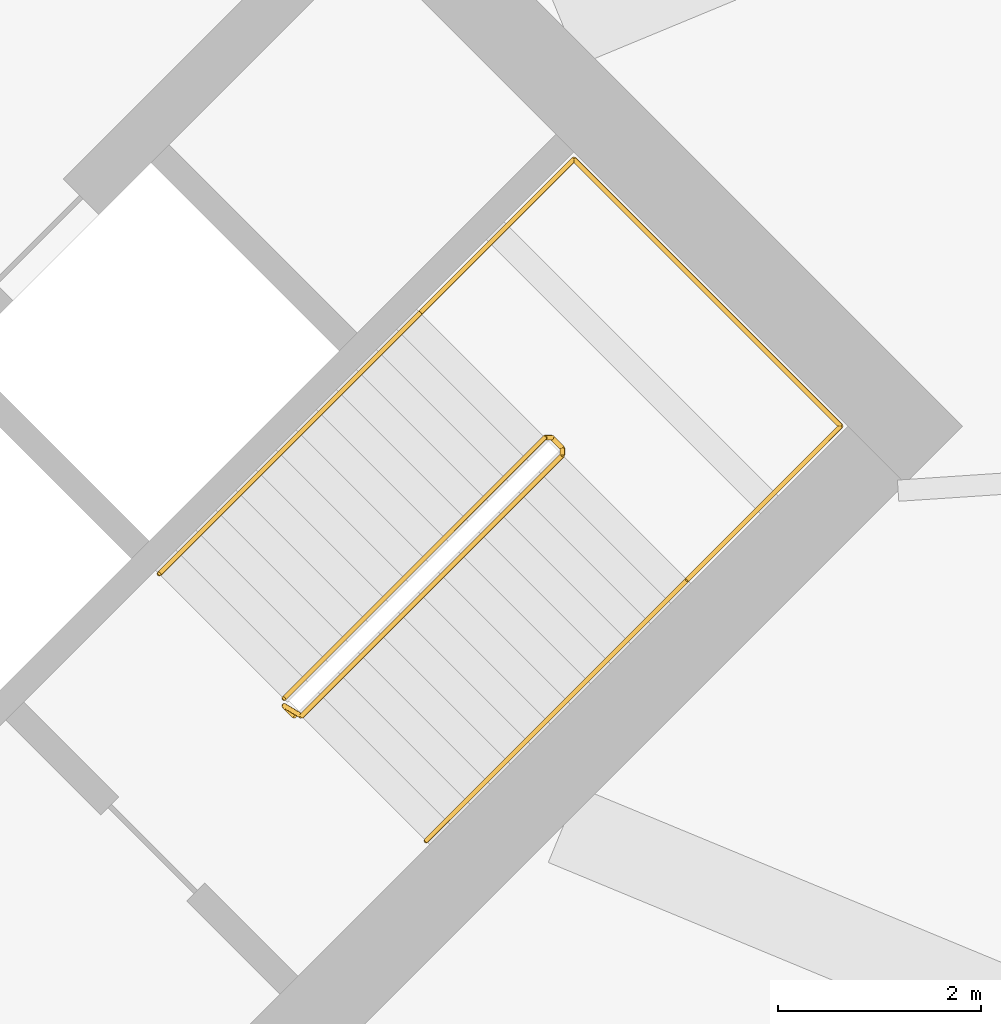
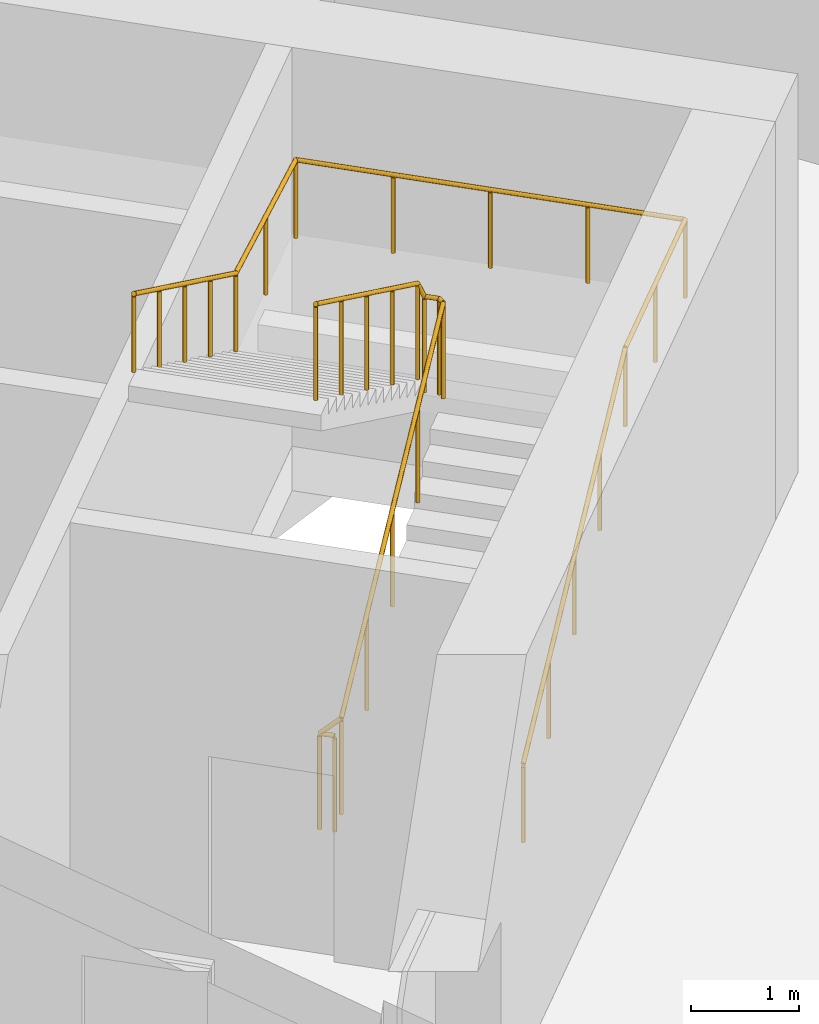
# One storey, part 19 of 19: 2 railings.
"""IFC4 building model written with IfcOpenShell, lengths in metres."""

from ifc_helpers import new_model, si_unit, direction, frame, origin, origin_2d, place, context, subcontext, project, spatial, circle, extrude, material, type_object, element, save


model = new_model("IFC4")

# Units and contexts
model_context = context("Model", 3, precision=1e-05, world=origin(), true_north=direction((0.0, 1.0)))
body_context = subcontext(model_context, "Body", "Model", "MODEL_VIEW")
ifc_project = project(units=[si_unit("LENGTHUNIT", "METRE"), si_unit("AREAUNIT", "SQUARE_METRE"), si_unit("VOLUMEUNIT", "CUBIC_METRE"), si_unit("PLANEANGLEUNIT", "RADIAN"), si_unit("MASSUNIT", "GRAM", prefix="KILO")], contexts=[model_context])

# Site, building, storey
site_placement = place(None, origin())
site = spatial("IfcSite", under=ifc_project, at=site_placement, CompositionType="ELEMENT")
building_placement = place(site_placement, origin())
building = spatial("IfcBuilding", under=site, at=building_placement, Name="Ogive Gate Towers", CompositionType="ELEMENT")
storey_placement = place(building_placement, frame((0.0, 0.0, 130.800048828125)))
storey = spatial("IfcBuildingStorey", under=building, at=storey_placement, Name="L31", CompositionType="ELEMENT", Elevation=130.800048828125)

# Railings
ifc_material = material(Name="Stainless steel", Category="steel")
railing_type_1 = type_object("IfcRailingType", Name="Stair guard 1100", PredefinedType="GUARDRAIL", material=ifc_material)
railing_1_placement = place(storey_placement, frame((42.84130859375, -2.8603515625, 0.0)))
element("IfcRailing", 1, at=railing_1_placement, inside=storey, type_object=railing_type_1, Name="L31 ST2 stair guard 1", PredefinedType="GUARDRAIL", context=body_context, shape_type="SweptSolid", body=[
    extrude(circle(Radius=0.02392578125, at=origin_2d()), frame((0.0, 0.0, 1.076171875), z_axis=(-0.707106781187, 0.707106781187, 0.0), x_axis=(-0.707106781187, -0.707106781187, 0.0)), (0.0, 0.0, 1.0), 0.14501953125),
    extrude(circle(Radius=0.02392578125, at=origin_2d()), frame((-0.1025390625, 0.1025390625, 1.076171875), z_axis=(0.65494335095, -0.387977725527, 0.648477055524), x_axis=(0.509669330572, 0.860370369942, 0.0)), (0.0, 0.0, 1.0), 0.264404296875),
    extrude(circle(Radius=0.02392578125, at=origin_2d()), frame((0.070556640625, 0.0, 1.24755859375), z_axis=(0.603067823642, 0.603067823642, 0.522128719929), x_axis=(-0.707106781187, 0.707106781187, 0.0)), (0.0, 0.0, 1.0), 4.26806640625),
    extrude(circle(Radius=0.02392578125, at=origin_2d()), frame((2.64453125, 2.573974609375, 3.47607421875), z_axis=(0.0, 1.0, 0.0), x_axis=(-1.0, 0.0, 0.0)), (0.0, 0.0, 1.0), 0.07080078125),
    extrude(circle(Radius=0.02392578125, at=origin_2d()), frame((2.64453125, 2.644775390625, 3.47607421875), z_axis=(-0.707106781187, 0.707106781187, 0.0), x_axis=(-0.707106781187, -0.707106781187, 0.0)), (0.0, 0.0, 1.0), 0.14501953125),
    extrude(circle(Radius=0.02392578125, at=origin_2d()), frame((2.5419921875, 2.747314453125, 3.47607421875), z_axis=(-0.381809054019, 0.0, 0.924241227315), x_axis=(0.0, -1.0, 0.0)), (0.0, 0.0, 1.0), 0.185546875),
    extrude(circle(Radius=0.02392578125, at=origin_2d()), frame((2.47119140625, 2.747314453125, 3.6474609375), z_axis=(-0.603013412715, -0.60307061376, 0.522188336623), x_axis=(0.707140316402, -0.707073244381, 0.0)), (0.0, 0.0, 1.0), 4.26806640625),
    extrude(circle(Radius=0.02099609375, at=origin_2d()), origin(), (0.0, 0.0, 1.0), 1.052001953125),
    extrude(circle(Radius=0.02099609375, at=origin_2d()), frame((-0.1025390625, 0.1025390625, 0.0)), (0.0, 0.0, 1.0), 1.052001953125),
    extrude(circle(Radius=0.02099609375, at=origin_2d()), frame((0.070556640625, 0.0, 0.17138671875)), (0.0, 0.0, 1.0), 1.052001953125),
    extrude(circle(Radius=0.02099609375, at=origin_2d()), frame((0.714111328125, 0.6435546875, 0.728515625)), (0.0, 0.0, 1.0), 1.052001953125),
    extrude(circle(Radius=0.02099609375, at=origin_2d()), frame((1.357421875, 1.287109375, 1.28564453125)), (0.0, 0.0, 1.0), 1.052001953125),
    extrude(circle(Radius=0.02099609375, at=origin_2d()), frame((2.0009765625, 1.930419921875, 1.8427734375)), (0.0, 0.0, 1.0), 1.052001953125),
    extrude(circle(Radius=0.02099609375, at=origin_2d()), frame((2.64453125, 2.573974609375, 2.39990234375)), (0.0, 0.0, 1.0), 1.052001953125),
    extrude(circle(Radius=0.02099609375, at=origin_2d()), frame((2.64453125, 2.644775390625, 2.39990234375)), (0.0, 0.0, 1.0), 1.052001953125),
    extrude(circle(Radius=0.02099609375, at=origin_2d()), frame((2.5419921875, 2.747314453125, 2.39990234375)), (0.0, 0.0, 1.0), 1.052001953125),
    extrude(circle(Radius=0.02099609375, at=origin_2d()), frame((2.47119140625, 2.747314453125, 2.5712890625)), (0.0, 0.0, 1.0), 1.052001953125),
    extrude(circle(Radius=0.02099609375, at=origin_2d()), frame((1.82763671875, 2.103759765625, 3.12841796875)), (0.0, 0.0, 1.0), 1.052001953125),
    extrude(circle(Radius=0.02099609375, at=origin_2d()), frame((1.184326171875, 1.46044921875, 3.685546875)), (0.0, 0.0, 1.0), 1.052001953125),
    extrude(circle(Radius=0.02099609375, at=origin_2d()), frame((0.541015625, 0.81689453125, 4.242919921875)), (0.0, 0.0, 1.0), 1.052001953125),
    extrude(circle(Radius=0.02099609375, at=origin_2d()), frame((-0.1025390625, 0.17333984375, 4.800048828125)), (0.0, 0.0, 1.0), 1.052001953125),
])
railing_type_2 = type_object("IfcRailingType", Name="Stair handrail 900", PredefinedType="HANDRAIL", material=ifc_material)
railing_2_placement = place(storey_placement, frame((44.142333984375, -4.090576171875, 0.17138671875)))
element("IfcRailing", 2, at=railing_2_placement, inside=storey, type_object=railing_type_2, Name="L31 ST2 stair handrail 1", PredefinedType="HANDRAIL", context=body_context, shape_type="SweptSolid", body=[
    extrude(circle(Radius=0.02392578125, at=origin_2d()), frame((0.0, 0.0, 0.8759765625), z_axis=(0.60308862713, 0.603031424376, 0.522146731333), x_axis=(-0.707073244381, 0.707140316402, 0.0)), (0.0, 0.0, 1.0), 4.26806640625),
    extrude(circle(Radius=0.02392578125, at=origin_2d()), frame((2.573974609375, 2.57373046875, 3.1044921875), z_axis=(0.707049868894, 0.707163688899, 0.0), x_axis=(-0.707163688899, 0.707049868894, 0.0)), (0.0, 0.0, 1.0), 2.14501953125),
    extrude(circle(Radius=0.02392578125, at=origin_2d()), frame((4.090576171875, 4.090576171875, 3.1044921875), z_axis=(-0.707106781187, 0.707106781187, 0.0), x_axis=(-0.707106781187, -0.707106781187, 0.0)), (0.0, 0.0, 1.0), 3.72509765625),
    extrude(circle(Radius=0.02392578125, at=origin_2d()), frame((1.45654296875, 6.724609375, 3.1044921875), z_axis=(-0.704803619142, -0.704917077548, 0.079647801133), x_axis=(0.707163688899, -0.707049868894, 0.0)), (0.0, 0.0, 1.0), 2.15185546875),
    extrude(circle(Radius=0.02392578125, at=origin_2d()), frame((-0.06005859375, 5.207763671875, 3.27587890625), z_axis=(-0.60307061376, -0.603013412715, 0.522188336623), x_axis=(0.707073244381, -0.707140316402, 0.0)), (0.0, 0.0, 1.0), 4.26806640625),
    extrude(circle(Radius=0.02099609375, at=origin_2d()), origin(), (0.0, 0.0, 1.0), 0.851806640625),
    extrude(circle(Radius=0.02099609375, at=origin_2d()), frame((0.6435546875, 0.6435546875, 0.55712890625)), (0.0, 0.0, 1.0), 0.851806640625),
    extrude(circle(Radius=0.02099609375, at=origin_2d()), frame((1.287109375, 1.286865234375, 1.1142578125)), (0.0, 0.0, 1.0), 0.851806640625),
    extrude(circle(Radius=0.02099609375, at=origin_2d()), frame((1.930419921875, 1.93017578125, 1.67138671875)), (0.0, 0.0, 1.0), 0.851806640625),
    extrude(circle(Radius=0.02099609375, at=origin_2d()), frame((2.573974609375, 2.57373046875, 2.228515625)), (0.0, 0.0, 1.0), 0.851806640625),
    extrude(circle(Radius=0.02099609375, at=origin_2d()), frame((3.332275390625, 3.33203125, 2.228515625)), (0.0, 0.0, 1.0), 0.851806640625),
    extrude(circle(Radius=0.02099609375, at=origin_2d()), frame((4.090576171875, 4.090576171875, 2.228515625)), (0.0, 0.0, 1.0), 0.851806640625),
    extrude(circle(Radius=0.02099609375, at=origin_2d()), frame((3.43212890625, 4.7490234375, 2.228515625)), (0.0, 0.0, 1.0), 0.851806640625),
    extrude(circle(Radius=0.02099609375, at=origin_2d()), frame((2.7734375, 5.40771484375, 2.228515625)), (0.0, 0.0, 1.0), 0.851806640625),
    extrude(circle(Radius=0.02099609375, at=origin_2d()), frame((2.114990234375, 6.066162109375, 2.228515625)), (0.0, 0.0, 1.0), 0.851806640625),
    extrude(circle(Radius=0.02099609375, at=origin_2d()), frame((1.45654296875, 6.724609375, 2.228515625)), (0.0, 0.0, 1.0), 0.851806640625),
    extrude(circle(Radius=0.02099609375, at=origin_2d()), frame((0.6982421875, 5.96630859375, 2.314208984375)), (0.0, 0.0, 1.0), 0.851806640625),
    extrude(circle(Radius=0.02099609375, at=origin_2d()), frame((-0.06005859375, 5.207763671875, 2.39990234375)), (0.0, 0.0, 1.0), 0.851806640625),
    extrude(circle(Radius=0.02099609375, at=origin_2d()), frame((-0.70361328125, 4.564453125, 2.95703125)), (0.0, 0.0, 1.0), 0.851806640625),
    extrude(circle(Radius=0.02099609375, at=origin_2d()), frame((-1.34716796875, 3.9208984375, 3.51416015625)), (0.0, 0.0, 1.0), 0.851806640625),
    extrude(circle(Radius=0.02099609375, at=origin_2d()), frame((-1.990478515625, 3.27734375, 4.071533203125)), (0.0, 0.0, 1.0), 0.851806640625),
    extrude(circle(Radius=0.02099609375, at=origin_2d()), frame((-2.634033203125, 2.634033203125, 4.628662109375)), (0.0, 0.0, 1.0), 0.851806640625),
])

save(model, "model.ifc")
